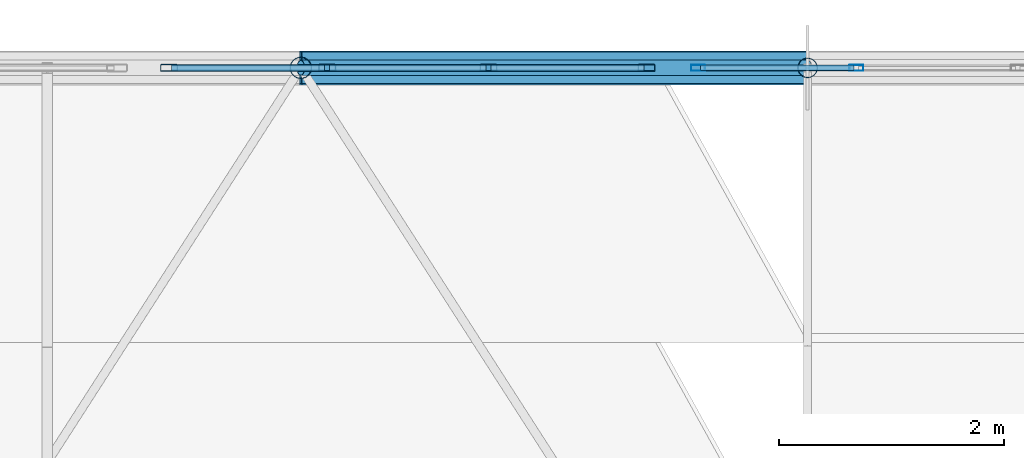
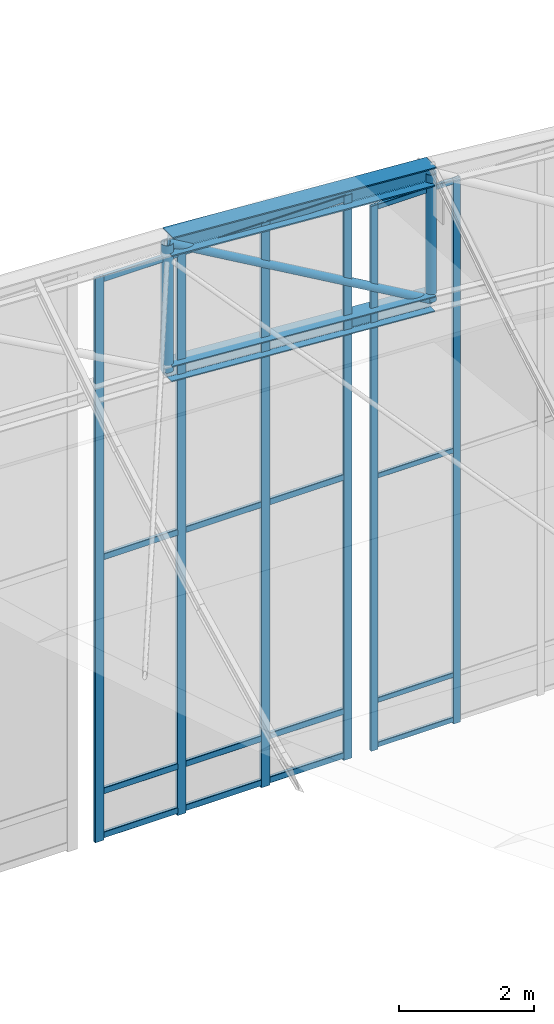
# One storey, part 213 of 262: 27 members, 2 elements without a shape of their own.
"""IFC4 building model written with IfcOpenShell, lengths in metres."""

from ifc_helpers import new_model, si_unit, derived_unit, direction, frame, origin, origin_2d, place, context, subcontext, project, spatial, hollow_rectangle, hollow_circle, i_section, extrude, material, layer, layer_set, material_profile, profile_set, type_object, element, aggregate, save


model = new_model("IFC4")

# Units and contexts
model_context = context("Model", 3, precision=1e-05, world=origin(), true_north=direction((0.0, 1.0)))
body_context = subcontext(model_context, "Body", "Model", "MODEL_VIEW")
ifc_project = project(units=[si_unit("LENGTHUNIT", "METRE"), si_unit("AREAUNIT", "SQUARE_METRE"), si_unit("VOLUMEUNIT", "CUBIC_METRE"), si_unit("PLANEANGLEUNIT", "RADIAN"), si_unit("MASSUNIT", "GRAM", prefix="KILO"), derived_unit("THERMALTRANSMITTANCEUNIT", [(si_unit("POWERUNIT", "WATT"), 1), (si_unit("LENGTHUNIT", "METRE"), -2), (si_unit("THERMODYNAMICTEMPERATUREUNIT", "KELVIN"), -1)])], contexts=[model_context])

# Site, building, storey
site_placement = place(None, origin())
site = spatial("IfcSite", under=ifc_project, at=site_placement, CompositionType="ELEMENT")
building_placement = place(site_placement, origin())
building = spatial("IfcBuilding", under=site, at=building_placement, Name="Almenara Railside Exhibition Hall", CompositionType="ELEMENT")
storey_placement = place(building_placement, frame((0.0, 0.0, 21.699951171875)))
storey = spatial("IfcBuildingStorey", under=building, at=storey_placement, Name="RF", CompositionType="ELEMENT", Elevation=21.699951171875)

# Members
ifc_material_1 = material(Name="Structural steel S355JR", Category="steel")
ifc_material_profile_1 = material_profile(ifc_material_1, i_section(OverallWidth=0.280029296875, OverallDepth=0.280029296875, WebThickness=0.010498046875, FlangeThickness=0.01806640625, FilletRadius=0.02392578125, at=origin_2d()), Name="HEB 280")
ifc_profile_set_1 = profile_set([ifc_material_profile_1], Name="Structural steel S355JR")
member_type_1 = type_object("IfcMemberType", Name="Arched Gable Bottom Chord HEB 280 S355JR", PredefinedType="CHORD", material=ifc_profile_set_1)
member_1_placement = place(storey_placement, frame((174.0, 132.0, 1.355712890625), z_axis=(0.997701025897, 0.0, -0.067769188608), x_axis=(0.0, 1.0, 0.0)))
element("IfcMember", 1, at=member_1_placement, inside=storey, type_object=member_type_1, Name="MEM-BC-V2-07-08", PredefinedType="CHORD", context=body_context, shape_type="SweptSolid", body=[
    extrude(i_section(OverallWidth=0.280029296875, OverallDepth=0.280029296875, WebThickness=0.010498046875, FlangeThickness=0.01806640625, FilletRadius=0.02392578125, at=origin_2d()), origin(), (0.0, 0.0, 1.0), 4.51025390625),
])
ifc_material_profile_2 = material_profile(ifc_material_1, i_section(OverallWidth=0.300048828125, OverallDepth=0.340087890625, WebThickness=0.011962890625, FlangeThickness=0.021484375, FilletRadius=0.027099609375, at=origin_2d()), Name="HEB 340")
ifc_profile_set_2 = profile_set([ifc_material_profile_2], Name="Structural steel S355JR")
member_type_2 = type_object("IfcMemberType", Name="Arched Gable Top Chord HEB 340 S355JR", PredefinedType="CHORD", material=ifc_profile_set_2)
member_2_placement = place(storey_placement, frame((174.0, 132.0, 3.655517578125), z_axis=(0.997704684283, 0.0, -0.067715308162), x_axis=(0.0, 1.0, 0.0)))
element("IfcMember", 2, at=member_2_placement, inside=storey, type_object=member_type_2, Name="MEM-TC-V2-07-08", PredefinedType="CHORD", context=body_context, shape_type="SweptSolid", body=[
    extrude(i_section(OverallWidth=0.300048828125, OverallDepth=0.340087890625, WebThickness=0.011962890625, FlangeThickness=0.021484375, FilletRadius=0.027099609375, at=origin_2d()), origin(), (0.0, 0.0, 1.0), 4.51025390625),
])

# Curtain wall, members
ifc_material_2 = material(Name="Bronze-anodised aluminium and low-E double glazing", Category="aluminium")
ifc_layer = layer(ifc_material_2, 0.179931640625, Name="Bronze-anodised aluminium and low-E double glazing")
ifc_layer_set = layer_set([ifc_layer], Name="Bronze-anodised aluminium and low-E double glazing")
curtain_wall_type = type_object("IfcCurtainWallType", Name="Scroll Gable Tall Curtain Wall 3800x5400", PredefinedType="NOTDEFINED", material=ifc_layer_set)
curtain_wall_1_placement = place(storey_placement, origin())
curtain_wall_1 = element("IfcCurtainWall", 3, at=curtain_wall_1_placement, inside=storey, type_object=curtain_wall_type, Name="Curtain wall CW-G1-231", PredefinedType="NOTDEFINED")
ifc_material_3 = material(Name="Bronze-anodised aluminium", Category="aluminium")
ifc_material_profile_3 = material_profile(ifc_material_3, hollow_rectangle(XDim=0.054931640625, YDim=0.125, WallThickness=0.0029296875, InnerFilletRadius=0.0029296875, OuterFilletRadius=0.006103515625, at=origin_2d()), Name="ALU-MUL 55x125x3")
ifc_profile_set_3 = profile_set([ifc_material_profile_3], Name="Bronze-anodised aluminium")
member_type_3 = type_object("IfcMemberType", Name="Curtain Wall Mullion 55x125x3", PredefinedType="MULLION", material=ifc_profile_set_3)
member_3_placement = place(storey_placement, frame((177.527587890625, 132.0, -6.73486328125), z_axis=(0.0, 0.0, 1.0), x_axis=(0.0, 1.0, 0.0)))
member_3 = element("IfcMember", 4, at=member_3_placement, type_object=member_type_3, Name="CW-G1-231 mullion 1", PredefinedType="MULLION", context=body_context, shape_type="SweptSolid", body=[
    extrude(hollow_rectangle(XDim=0.054931640625, YDim=0.125, WallThickness=0.0029296875, InnerFilletRadius=0.0029296875, OuterFilletRadius=0.006103515625, at=origin_2d()), origin(), (0.0, 0.0, 1.0), 9.8349609375),
])
member_4_placement = place(storey_placement, frame((178.933349609375, 132.0, -6.73486328125), z_axis=(0.0, 0.0, 1.0), x_axis=(0.0, 1.0, 0.0)))
member_4 = element("IfcMember", 5, at=member_4_placement, type_object=member_type_3, Name="CW-G1-231 mullion 2", PredefinedType="MULLION", context=body_context, shape_type="SweptSolid", body=[
    extrude(hollow_rectangle(XDim=0.054931640625, YDim=0.125, WallThickness=0.0029296875, InnerFilletRadius=0.0029296875, OuterFilletRadius=0.006103515625, at=origin_2d()), origin(), (0.0, 0.0, 1.0), 9.8349609375),
])

curtain_wall_2_placement = place(storey_placement, origin())
curtain_wall_2 = element("IfcCurtainWall", 6, at=curtain_wall_2_placement, inside=storey, type_object=curtain_wall_type, Name="Curtain wall CW-G1-230", PredefinedType="NOTDEFINED")
ifc_material_profile_4 = material_profile(ifc_material_3, hollow_rectangle(XDim=0.06005859375, YDim=0.14990234375, WallThickness=0.00341796875, InnerFilletRadius=0.00341796875, OuterFilletRadius=0.007080078125, at=origin_2d()), Name="ALU-MUL 60x150x3.5")
ifc_profile_set_4 = profile_set([ifc_material_profile_4], Name="Bronze-anodised aluminium")
member_type_4 = type_object("IfcMemberType", Name="Curtain Wall Mullion 60x150x3.5", PredefinedType="MULLION", material=ifc_profile_set_4)
member_5_placement = place(storey_placement, frame((172.830078125, 132.0, -6.73486328125), z_axis=(0.0, 0.0, 1.0), x_axis=(0.0, 1.0, 0.0)))
member_5 = element("IfcMember", 7, at=member_5_placement, type_object=member_type_4, Name="CW-G1-230 mullion 1", PredefinedType="MULLION", context=body_context, shape_type="SweptSolid", body=[
    extrude(hollow_rectangle(XDim=0.06005859375, YDim=0.14990234375, WallThickness=0.00341796875, InnerFilletRadius=0.00341796875, OuterFilletRadius=0.007080078125, at=origin_2d()), origin(), (0.0, 0.0, 1.0), 10.184814453125),
])
member_6_placement = place(storey_placement, frame((174.2333984375, 132.0, -6.73486328125), z_axis=(0.0, 0.0, 1.0), x_axis=(0.0, 1.0, 0.0)))
member_6 = element("IfcMember", 8, at=member_6_placement, type_object=member_type_4, Name="CW-G1-230 mullion 2", PredefinedType="MULLION", context=body_context, shape_type="SweptSolid", body=[
    extrude(hollow_rectangle(XDim=0.06005859375, YDim=0.14990234375, WallThickness=0.00341796875, InnerFilletRadius=0.00341796875, OuterFilletRadius=0.007080078125, at=origin_2d()), origin(), (0.0, 0.0, 1.0), 10.184814453125),
])
member_7_placement = place(storey_placement, frame((175.666748046875, 132.0, -6.73486328125), z_axis=(0.0, 0.0, 1.0), x_axis=(0.0, 1.0, 0.0)))
member_7 = element("IfcMember", 9, at=member_7_placement, type_object=member_type_4, Name="CW-G1-230 mullion 3", PredefinedType="MULLION", context=body_context, shape_type="SweptSolid", body=[
    extrude(hollow_rectangle(XDim=0.06005859375, YDim=0.14990234375, WallThickness=0.00341796875, InnerFilletRadius=0.00341796875, OuterFilletRadius=0.007080078125, at=origin_2d()), origin(), (0.0, 0.0, 1.0), 10.184814453125),
])
member_8_placement = place(storey_placement, frame((177.070068359375, 132.0, -6.73486328125), z_axis=(0.0, 0.0, 1.0), x_axis=(0.0, 1.0, 0.0)))
member_8 = element("IfcMember", 10, at=member_8_placement, type_object=member_type_4, Name="CW-G1-230 mullion 4", PredefinedType="MULLION", context=body_context, shape_type="SweptSolid", body=[
    extrude(hollow_rectangle(XDim=0.06005859375, YDim=0.14990234375, WallThickness=0.00341796875, InnerFilletRadius=0.00341796875, OuterFilletRadius=0.007080078125, at=origin_2d()), origin(), (0.0, 0.0, 1.0), 10.184814453125),
])

# Member
ifc_material_profile_5 = material_profile(ifc_material_3, hollow_rectangle(XDim=0.054931640625, YDim=0.090087890625, WallThickness=0.0029296875, InnerFilletRadius=0.0029296875, OuterFilletRadius=0.006103515625, at=origin_2d()), Name="ALU-TRN 55x90x3")
ifc_profile_set_5 = profile_set([ifc_material_profile_5], Name="Bronze-anodised aluminium")
member_type_5 = type_object("IfcMemberType", Name="Curtain Wall Transom 55x90x3", PredefinedType="USERDEFINED", material=ifc_profile_set_5)
member_9_placement = place(storey_placement, frame((177.547119140625, 132.0, -6.655029296875), z_axis=(1.0, 0.0, 0.0), x_axis=(0.0, 1.0, 0.0)))
member_9 = element("IfcMember", 11, at=member_9_placement, type_object=member_type_5, Name="CW-G1-231 transom 1.1", ObjectType="TRANSOM", PredefinedType="USERDEFINED", context=body_context, shape_type="SweptSolid", body=[
    extrude(hollow_rectangle(XDim=0.054931640625, YDim=0.090087890625, WallThickness=0.0029296875, InnerFilletRadius=0.0029296875, OuterFilletRadius=0.006103515625, at=origin_2d()), origin(), (0.0, 0.0, 1.0), 1.36669921875),
])

member_10_placement = place(storey_placement, frame((177.547119140625, 132.0, -5.849853515625), z_axis=(1.0, 0.0, 0.0), x_axis=(0.0, 1.0, 0.0)))
member_10 = element("IfcMember", 12, at=member_10_placement, type_object=member_type_5, Name="CW-G1-231 transom 1.2", ObjectType="TRANSOM", PredefinedType="USERDEFINED", context=body_context, shape_type="SweptSolid", body=[
    extrude(hollow_rectangle(XDim=0.054931640625, YDim=0.090087890625, WallThickness=0.0029296875, InnerFilletRadius=0.0029296875, OuterFilletRadius=0.006103515625, at=origin_2d()), origin(), (0.0, 0.0, 1.0), 1.36669921875),
])

member_11_placement = place(storey_placement, frame((177.547119140625, 132.0, -1.800048828125), z_axis=(1.0, 0.0, 0.0), x_axis=(0.0, 1.0, 0.0)))
member_11 = element("IfcMember", 13, at=member_11_placement, type_object=member_type_5, Name="CW-G1-231 transom 1.3", ObjectType="TRANSOM", PredefinedType="USERDEFINED", context=body_context, shape_type="SweptSolid", body=[
    extrude(hollow_rectangle(XDim=0.054931640625, YDim=0.090087890625, WallThickness=0.0029296875, InnerFilletRadius=0.0029296875, OuterFilletRadius=0.006103515625, at=origin_2d()), origin(), (0.0, 0.0, 1.0), 1.36669921875),
])

member_12_placement = place(storey_placement, frame((177.547119140625, 132.0, 3.054931640625), z_axis=(1.0, 0.0, 0.0), x_axis=(0.0, 1.0, 0.0)))
member_12 = element("IfcMember", 14, at=member_12_placement, type_object=member_type_5, Name="CW-G1-231 transom 1.4", ObjectType="TRANSOM", PredefinedType="USERDEFINED", context=body_context, shape_type="SweptSolid", body=[
    extrude(hollow_rectangle(XDim=0.054931640625, YDim=0.090087890625, WallThickness=0.0029296875, InnerFilletRadius=0.0029296875, OuterFilletRadius=0.006103515625, at=origin_2d()), origin(), (0.0, 0.0, 1.0), 1.36669921875),
])

aggregate(curtain_wall_1, [member_3, member_4, member_9, member_10, member_11, member_12])

ifc_material_profile_6 = material_profile(ifc_material_3, hollow_rectangle(XDim=0.06005859375, YDim=0.110107421875, WallThickness=0.0029296875, InnerFilletRadius=0.0029296875, OuterFilletRadius=0.006103515625, at=origin_2d()), Name="ALU-TRN 60x110x3")
ifc_profile_set_6 = profile_set([ifc_material_profile_6], Name="Bronze-anodised aluminium")
member_type_6 = type_object("IfcMemberType", Name="Curtain Wall Transom 60x110x3", PredefinedType="USERDEFINED", material=ifc_profile_set_6)
member_13_placement = place(storey_placement, frame((172.85205078125, 132.0, -6.64501953125), z_axis=(1.0, 0.0, 0.0), x_axis=(0.0, 1.0, 0.0)))
member_13 = element("IfcMember", 15, at=member_13_placement, type_object=member_type_6, Name="CW-G1-230 transom 1.1", ObjectType="TRANSOM", PredefinedType="USERDEFINED", context=body_context, shape_type="SweptSolid", body=[
    extrude(hollow_rectangle(XDim=0.06005859375, YDim=0.110107421875, WallThickness=0.0029296875, InnerFilletRadius=0.0029296875, OuterFilletRadius=0.006103515625, at=origin_2d()), origin(), (0.0, 0.0, 1.0), 1.359375),
])

member_14_placement = place(storey_placement, frame((172.85205078125, 132.0, -5.849853515625), z_axis=(1.0, 0.0, 0.0), x_axis=(0.0, 1.0, 0.0)))
member_14 = element("IfcMember", 16, at=member_14_placement, type_object=member_type_6, Name="CW-G1-230 transom 1.2", ObjectType="TRANSOM", PredefinedType="USERDEFINED", context=body_context, shape_type="SweptSolid", body=[
    extrude(hollow_rectangle(XDim=0.06005859375, YDim=0.110107421875, WallThickness=0.0029296875, InnerFilletRadius=0.0029296875, OuterFilletRadius=0.006103515625, at=origin_2d()), origin(), (0.0, 0.0, 1.0), 1.359375),
])

member_15_placement = place(storey_placement, frame((172.85205078125, 132.0, -1.625), z_axis=(1.0, 0.0, 0.0), x_axis=(0.0, 1.0, 0.0)))
member_15 = element("IfcMember", 17, at=member_15_placement, type_object=member_type_6, Name="CW-G1-230 transom 1.3", ObjectType="TRANSOM", PredefinedType="USERDEFINED", context=body_context, shape_type="SweptSolid", body=[
    extrude(hollow_rectangle(XDim=0.06005859375, YDim=0.110107421875, WallThickness=0.0029296875, InnerFilletRadius=0.0029296875, OuterFilletRadius=0.006103515625, at=origin_2d()), origin(), (0.0, 0.0, 1.0), 1.359375),
])

member_16_placement = place(storey_placement, frame((172.85205078125, 132.0, 3.39501953125), z_axis=(1.0, 0.0, 0.0), x_axis=(0.0, 1.0, 0.0)))
member_16 = element("IfcMember", 18, at=member_16_placement, type_object=member_type_6, Name="CW-G1-230 transom 1.4", ObjectType="TRANSOM", PredefinedType="USERDEFINED", context=body_context, shape_type="SweptSolid", body=[
    extrude(hollow_rectangle(XDim=0.06005859375, YDim=0.110107421875, WallThickness=0.0029296875, InnerFilletRadius=0.0029296875, OuterFilletRadius=0.006103515625, at=origin_2d()), origin(), (0.0, 0.0, 1.0), 1.359375),
])

member_17_placement = place(storey_placement, frame((174.25537109375, 132.0, -6.64501953125), z_axis=(1.0, 0.0, 0.0), x_axis=(0.0, 1.0, 0.0)))
member_17 = element("IfcMember", 19, at=member_17_placement, type_object=member_type_6, Name="CW-G1-230 transom 2.1", ObjectType="TRANSOM", PredefinedType="USERDEFINED", context=body_context, shape_type="SweptSolid", body=[
    extrude(hollow_rectangle(XDim=0.06005859375, YDim=0.110107421875, WallThickness=0.0029296875, InnerFilletRadius=0.0029296875, OuterFilletRadius=0.006103515625, at=origin_2d()), origin(), (0.0, 0.0, 1.0), 1.389404296875),
])

member_18_placement = place(storey_placement, frame((174.25537109375, 132.0, -5.849853515625), z_axis=(1.0, 0.0, 0.0), x_axis=(0.0, 1.0, 0.0)))
member_18 = element("IfcMember", 20, at=member_18_placement, type_object=member_type_6, Name="CW-G1-230 transom 2.2", ObjectType="TRANSOM", PredefinedType="USERDEFINED", context=body_context, shape_type="SweptSolid", body=[
    extrude(hollow_rectangle(XDim=0.06005859375, YDim=0.110107421875, WallThickness=0.0029296875, InnerFilletRadius=0.0029296875, OuterFilletRadius=0.006103515625, at=origin_2d()), origin(), (0.0, 0.0, 1.0), 1.389404296875),
])

member_19_placement = place(storey_placement, frame((174.25537109375, 132.0, -1.625), z_axis=(1.0, 0.0, 0.0), x_axis=(0.0, 1.0, 0.0)))
member_19 = element("IfcMember", 21, at=member_19_placement, type_object=member_type_6, Name="CW-G1-230 transom 2.3", ObjectType="TRANSOM", PredefinedType="USERDEFINED", context=body_context, shape_type="SweptSolid", body=[
    extrude(hollow_rectangle(XDim=0.06005859375, YDim=0.110107421875, WallThickness=0.0029296875, InnerFilletRadius=0.0029296875, OuterFilletRadius=0.006103515625, at=origin_2d()), origin(), (0.0, 0.0, 1.0), 1.389404296875),
])

member_20_placement = place(storey_placement, frame((174.25537109375, 132.0, 3.39501953125), z_axis=(1.0, 0.0, 0.0), x_axis=(0.0, 1.0, 0.0)))
member_20 = element("IfcMember", 22, at=member_20_placement, type_object=member_type_6, Name="CW-G1-230 transom 2.4", ObjectType="TRANSOM", PredefinedType="USERDEFINED", context=body_context, shape_type="SweptSolid", body=[
    extrude(hollow_rectangle(XDim=0.06005859375, YDim=0.110107421875, WallThickness=0.0029296875, InnerFilletRadius=0.0029296875, OuterFilletRadius=0.006103515625, at=origin_2d()), origin(), (0.0, 0.0, 1.0), 1.389404296875),
])

member_21_placement = place(storey_placement, frame((175.688720703125, 132.0, -6.64501953125), z_axis=(1.0, 0.0, 0.0), x_axis=(0.0, 1.0, 0.0)))
member_21 = element("IfcMember", 23, at=member_21_placement, type_object=member_type_6, Name="CW-G1-230 transom 3.1", ObjectType="TRANSOM", PredefinedType="USERDEFINED", context=body_context, shape_type="SweptSolid", body=[
    extrude(hollow_rectangle(XDim=0.06005859375, YDim=0.110107421875, WallThickness=0.0029296875, InnerFilletRadius=0.0029296875, OuterFilletRadius=0.006103515625, at=origin_2d()), origin(), (0.0, 0.0, 1.0), 1.359375),
])

member_22_placement = place(storey_placement, frame((175.688720703125, 132.0, -5.849853515625), z_axis=(1.0, 0.0, 0.0), x_axis=(0.0, 1.0, 0.0)))
member_22 = element("IfcMember", 24, at=member_22_placement, type_object=member_type_6, Name="CW-G1-230 transom 3.2", ObjectType="TRANSOM", PredefinedType="USERDEFINED", context=body_context, shape_type="SweptSolid", body=[
    extrude(hollow_rectangle(XDim=0.06005859375, YDim=0.110107421875, WallThickness=0.0029296875, InnerFilletRadius=0.0029296875, OuterFilletRadius=0.006103515625, at=origin_2d()), origin(), (0.0, 0.0, 1.0), 1.359375),
])

member_23_placement = place(storey_placement, frame((175.688720703125, 132.0, -1.625), z_axis=(1.0, 0.0, 0.0), x_axis=(0.0, 1.0, 0.0)))
member_23 = element("IfcMember", 25, at=member_23_placement, type_object=member_type_6, Name="CW-G1-230 transom 3.3", ObjectType="TRANSOM", PredefinedType="USERDEFINED", context=body_context, shape_type="SweptSolid", body=[
    extrude(hollow_rectangle(XDim=0.06005859375, YDim=0.110107421875, WallThickness=0.0029296875, InnerFilletRadius=0.0029296875, OuterFilletRadius=0.006103515625, at=origin_2d()), origin(), (0.0, 0.0, 1.0), 1.359375),
])

member_24_placement = place(storey_placement, frame((175.688720703125, 132.0, 3.39501953125), z_axis=(1.0, 0.0, 0.0), x_axis=(0.0, 1.0, 0.0)))
member_24 = element("IfcMember", 26, at=member_24_placement, type_object=member_type_6, Name="CW-G1-230 transom 3.4", ObjectType="TRANSOM", PredefinedType="USERDEFINED", context=body_context, shape_type="SweptSolid", body=[
    extrude(hollow_rectangle(XDim=0.06005859375, YDim=0.110107421875, WallThickness=0.0029296875, InnerFilletRadius=0.0029296875, OuterFilletRadius=0.006103515625, at=origin_2d()), origin(), (0.0, 0.0, 1.0), 1.359375),
])

aggregate(curtain_wall_2, [member_5, member_6, member_7, member_8, member_13, member_14, member_15, member_16, member_17, member_18, member_19, member_20, member_21, member_22, member_23, member_24])

# Members
ifc_material_profile_7 = material_profile(ifc_material_1, hollow_circle(Radius=0.06982421875, WallThickness=0.0048828125, at=origin_2d()), Name="CHS 139.7x5")
ifc_profile_set_7 = profile_set([ifc_material_profile_7], Name="Structural steel S355JR")
member_type_7 = type_object("IfcMemberType", Name="Truss Inner Diagonal CHS 139.7x5 S355JR", PredefinedType="BRACE", material=ifc_profile_set_7)
member_25_placement = place(storey_placement, frame((174.0, 132.0, 3.655517578125), z_axis=(0.865409140876, 0.0, -0.501065882782), x_axis=(0.0, 1.0, 0.0)))
element("IfcMember", 27, at=member_25_placement, inside=storey, type_object=member_type_7, Name="MEM-TD-V2-07-08", PredefinedType="BRACE", context=body_context, shape_type="SweptSolid", body=[
    extrude(hollow_circle(Radius=0.06982421875, WallThickness=0.0048828125, at=origin_2d()), origin(), (0.0, 0.0, 1.0), 5.199951171875),
])
ifc_material_profile_8 = material_profile(ifc_material_1, hollow_circle(Radius=0.0888671875, WallThickness=0.006103515625, at=origin_2d()), Name="CHS 177.8x6")
ifc_profile_set_8 = profile_set([ifc_material_profile_8], Name="Structural steel S355JR")
member_type_8 = type_object("IfcMemberType", Name="Truss Quarter Vertical Strut CHS 177.8x6 S355JR", PredefinedType="BRACE", material=ifc_profile_set_8)
member_26_placement = place(storey_placement, frame((178.5, 132.0, 1.050048828125), z_axis=(0.0, 0.0, 1.0), x_axis=(1.0, 0.0, 0.0)))
element("IfcMember", 28, at=member_26_placement, inside=storey, type_object=member_type_8, Name="MEM-TV-V2-07-09", PredefinedType="BRACE", context=body_context, shape_type="SweptSolid", body=[
    extrude(hollow_circle(Radius=0.0888671875, WallThickness=0.006103515625, at=origin_2d()), origin(), (0.0, 0.0, 1.0), 2.300048828125),
])
ifc_material_profile_9 = material_profile(ifc_material_1, hollow_circle(Radius=0.096923828125, WallThickness=0.00634765625, at=origin_2d()), Name="CHS 193.7x6.3")
ifc_profile_set_9 = profile_set([ifc_material_profile_9], Name="Structural steel S355JR")
member_type_9 = type_object("IfcMemberType", Name="Truss Standard Vertical Strut CHS 193.7x6.3 S355JR", PredefinedType="BRACE", material=ifc_profile_set_9)
member_27_placement = place(storey_placement, frame((174.0, 132.0, 1.355712890625), z_axis=(0.0, 0.0, 1.0), x_axis=(1.0, 0.0, 0.0)))
element("IfcMember", 29, at=member_27_placement, inside=storey, type_object=member_type_9, Name="MEM-TV-V2-07-08", PredefinedType="BRACE", context=body_context, shape_type="SweptSolid", body=[
    extrude(hollow_circle(Radius=0.096923828125, WallThickness=0.00634765625, at=origin_2d()), origin(), (0.0, 0.0, 1.0), 2.2998046875),
])

save(model, "model.ifc")
